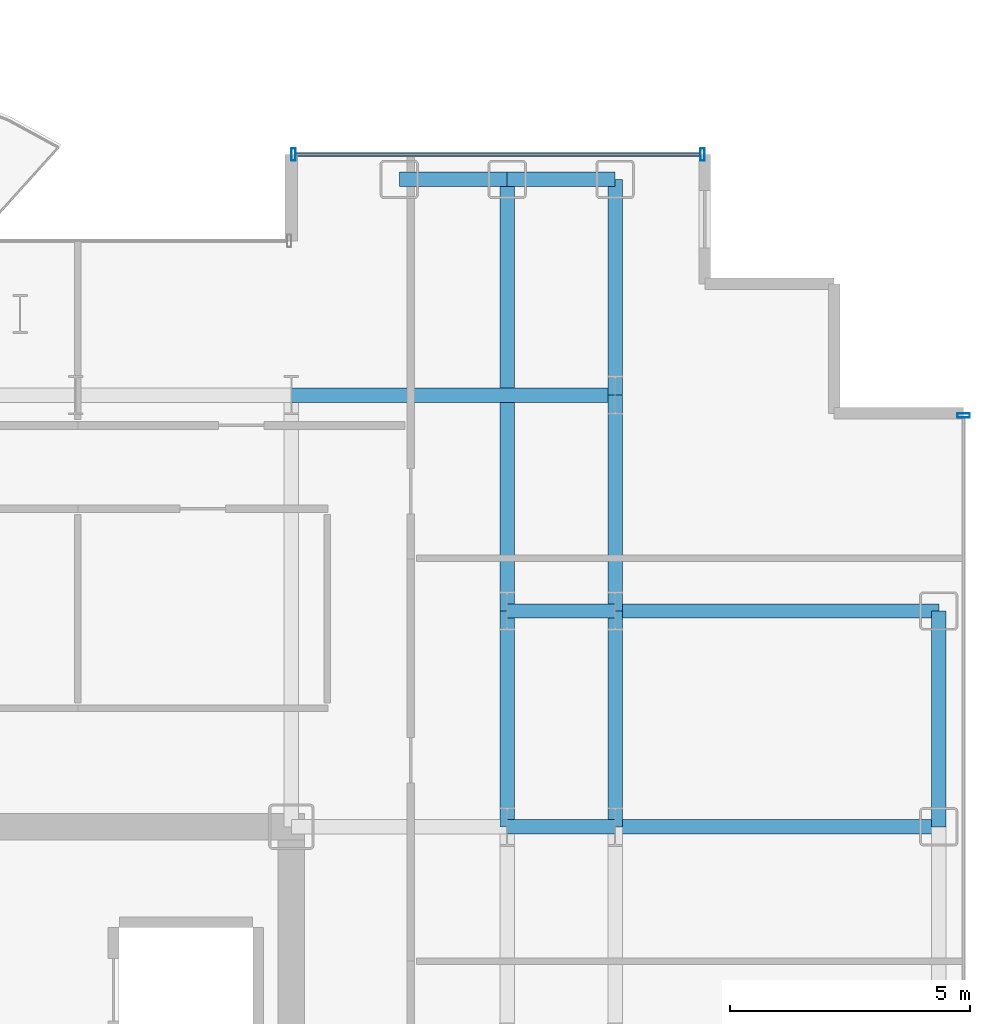
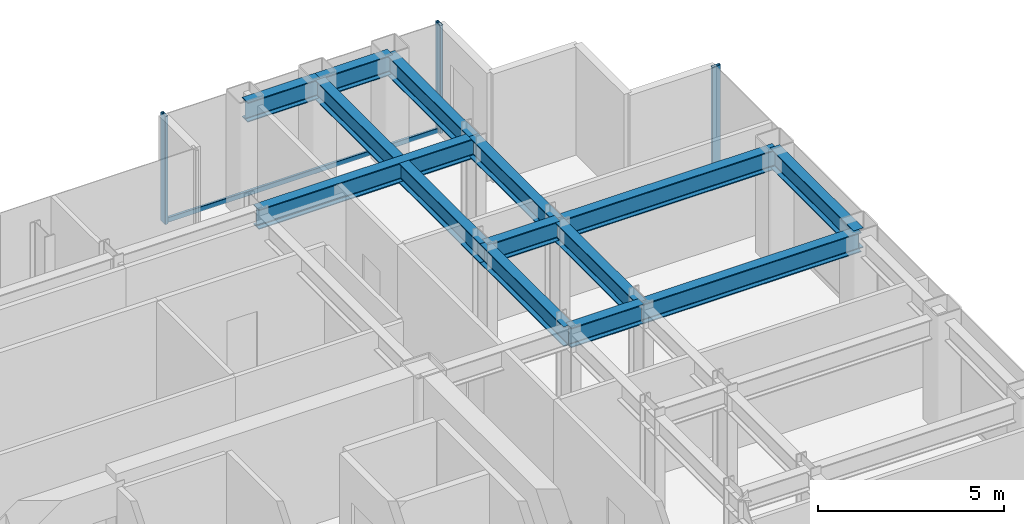
# One storey, part 13 of 23: 13 beams, 4 members, 2 elements without a shape of their own.
"""IFC4 building model written with IfcOpenShell, lengths in metres."""

from ifc_helpers import new_model, si_unit, direction, frame, origin, origin_2d, place, context, subcontext, project, spatial, hollow_rectangle, i_section, extrude, source, transform, mapped, material, layer, layer_set, material_profile, profile_set, type_object, element, aggregate, save


model = new_model("IFC4")

# Units and contexts
model_context = context("Model", 3, precision=1e-05, world=origin(), true_north=direction((0.0, 1.0)))
body_context = subcontext(model_context, "Body", "Model", "MODEL_VIEW")
ifc_project = project(units=[si_unit("LENGTHUNIT", "METRE"), si_unit("AREAUNIT", "SQUARE_METRE"), si_unit("VOLUMEUNIT", "CUBIC_METRE"), si_unit("PLANEANGLEUNIT", "RADIAN"), si_unit("MASSUNIT", "GRAM", prefix="KILO")], contexts=[model_context])

# Site, building, storey
site_placement = place(None, origin())
site = spatial("IfcSite", under=ifc_project, at=site_placement, CompositionType="ELEMENT")
building_placement = place(site_placement, origin())
building = spatial("IfcBuilding", under=site, at=building_placement, Name="Nefas-Gora Pilgrimage Tower", CompositionType="ELEMENT")
storey_placement = place(building_placement, frame((0.0, 0.0, 164.0)))
storey = spatial("IfcBuildingStorey", under=building, at=storey_placement, Name="L40", CompositionType="ELEMENT", Elevation=164.0)

# Beams
ifc_material_1 = material(Name="Steel S355", Category="steel")
ifc_material_profile_1 = material_profile(ifc_material_1, i_section(OverallWidth=0.300048828125, OverallDepth=0.64990234375, WebThickness=0.01611328125, FlangeThickness=0.031005859375, FilletRadius=0.027099609375, at=origin_2d()), Name="HEB 650")
ifc_profile_set_1 = profile_set([ifc_material_profile_1], Name="Steel S355")
beam_type_1 = type_object("IfcBeamType", Name="BM-SPN-HEB500", PredefinedType="SPANDREL", material=ifc_profile_set_1)
shared_shape_1 = source(origin(), body_context, "Body", "SweptSolid", [
    extrude(i_section(OverallWidth=0.300048828125, OverallDepth=0.64990234375, WebThickness=0.01611328125, FlangeThickness=0.031005859375, FilletRadius=0.027099609375, at=origin_2d()), origin(), (0.0, 0.0, 1.0), 4.5),
])
beam_1_placement = place(storey_placement, frame((24.75, 9.0, 3.22509765625), z_axis=(0.0, 1.0, 0.0), x_axis=(-1.0, 0.0, 0.0)))
element("IfcBeam", 1, at=beam_1_placement, inside=storey, type_object=beam_type_1, Name="L40 SP-02 beam", PredefinedType="SPANDREL", context=body_context, shape_type="MappedRepresentation", body=[
    mapped(shared_shape_1, transform((0.0, 0.0, 0.0), x_axis=(1.0, 0.0, 0.0), y_axis=(0.0, 1.0, 0.0), z_axis=(0.0, 0.0, 1.0), scale=1.0)),
])
ifc_material_profile_2 = material_profile(ifc_material_1, i_section(OverallWidth=0.300048828125, OverallDepth=0.64990234375, WebThickness=0.01611328125, FlangeThickness=0.031005859375, FilletRadius=0.027099609375, at=origin_2d()), Name="HEB 650")
ifc_profile_set_2 = profile_set([ifc_material_profile_2], Name="Steel S355")
beam_type_2 = type_object("IfcBeamType", Name="BM-GIR-HEB650", PredefinedType="BEAM", material=ifc_profile_set_2)
shared_shape_2 = source(origin(), body_context, "Body", "SweptSolid", [
    extrude(i_section(OverallWidth=0.300048828125, OverallDepth=0.64990234375, WebThickness=0.01611328125, FlangeThickness=0.031005859375, FilletRadius=0.027099609375, at=origin_2d()), origin(), (0.0, 0.0, 1.0), 9.0),
])
beam_2_placement = place(storey_placement, frame((15.75, 13.5, 3.22509765625), z_axis=(0.0, 1.0, 0.0), x_axis=(-1.0, 0.0, 0.0)))
element("IfcBeam", 2, at=beam_2_placement, inside=storey, type_object=beam_type_2, Name="L40 G-03 beam", PredefinedType="BEAM", context=body_context, shape_type="MappedRepresentation", body=[
    mapped(shared_shape_2, transform((0.0, 0.0, 0.0), x_axis=(1.0, 0.0, 0.0), y_axis=(0.0, 1.0, 0.0), z_axis=(0.0, 0.0, 1.0), scale=1.0)),
])
shared_shape_3 = source(origin(), body_context, "Body", "SweptSolid", [
    extrude(i_section(OverallWidth=0.300048828125, OverallDepth=0.64990234375, WebThickness=0.01611328125, FlangeThickness=0.031005859375, FilletRadius=0.027099609375, at=origin_2d()), origin(), (0.0, 0.0, 1.0), 4.5),
])
for number, where, z_axis, x_axis, name in (
    (3, (15.75, 9.0, 3.22509765625), (0.0, 1.0, 0.0), (-1.0, 0.0, 0.0), "L40 G-03 beam"),
    (4, (18.0, 9.0, 3.22509765625), (0.0, 1.0, 0.0), (-1.0, 0.0, 0.0), "L40 G-03 beam"),
    (5, (18.0, 13.5, 3.22509765625), (0.0, 1.0, 0.0), (-1.0, 0.0, 0.0), "L40 G-03 beam"),
    (6, (18.0, 18.0, 3.22509765625), (0.0, 1.0, 0.0), (-1.0, 0.0, 0.0), "L40 G-03 beam"),
):
    element("IfcBeam", number, at=place(storey_placement, frame(where, z_axis=z_axis, x_axis=x_axis)), inside=storey, type_object=beam_type_2, Name=name, PredefinedType="BEAM", context=body_context, shape_type="MappedRepresentation", body=[
        mapped(shared_shape_3, transform((0.0, 0.0, 0.0), x_axis=(1.0, 0.0, 0.0), y_axis=(0.0, 1.0, 0.0), z_axis=(0.0, 0.0, 1.0), scale=1.0)),
    ])
shared_shape_4 = source(origin(), body_context, "Body", "SweptSolid", [
    extrude(i_section(OverallWidth=0.300048828125, OverallDepth=0.64990234375, WebThickness=0.01611328125, FlangeThickness=0.031005859375, FilletRadius=0.027099609375, at=origin_2d()), origin(), (0.0, 0.0, 1.0), 6.75),
])
for number, where, z_axis, x_axis, name in (
    (7, (11.25, 18.0, 3.22509765625), (1.0, 0.0, 0.0), (0.0, 1.0, 0.0), "L40 G-03 beam"),
    (8, (18.0, 9.0, 3.22509765625), (1.0, 0.0, 0.0), (0.0, 1.0, 0.0), "L40 G-03 beam"),
    (9, (18.0, 13.5, 3.22509765625), (1.0, 0.0, 0.0), (0.0, 1.0, 0.0), "L40 G-03 beam"),
):
    element("IfcBeam", number, at=place(storey_placement, frame(where, z_axis=z_axis, x_axis=x_axis)), inside=storey, type_object=beam_type_2, Name=name, PredefinedType="BEAM", context=body_context, shape_type="MappedRepresentation", body=[
        mapped(shared_shape_4, transform((0.0, 0.0, 0.0), x_axis=(1.0, 0.0, 0.0), y_axis=(0.0, 1.0, 0.0), z_axis=(0.0, 0.0, 1.0), scale=1.0)),
    ])
shared_shape_5 = source(origin(), body_context, "Body", "SweptSolid", [
    extrude(i_section(OverallWidth=0.300048828125, OverallDepth=0.64990234375, WebThickness=0.01611328125, FlangeThickness=0.031005859375, FilletRadius=0.027099609375, at=origin_2d()), origin(), (0.0, 0.0, 1.0), 2.25),
])
for number, where, z_axis, x_axis, name in (
    (10, (13.5, 22.5, 3.22509765625), (1.0, 0.0, 0.0), (0.0, 1.0, 0.0), "L40 SP-02 beam"),
    (11, (15.75, 22.5, 3.22509765625), (1.0, 0.0, 0.0), (0.0, 1.0, 0.0), "L40 SP-02 beam"),
):
    element("IfcBeam", number, at=place(storey_placement, frame(where, z_axis=z_axis, x_axis=x_axis)), inside=storey, type_object=beam_type_1, Name=name, PredefinedType="SPANDREL", context=body_context, shape_type="MappedRepresentation", body=[
        mapped(shared_shape_5, transform((0.0, 0.0, 0.0), x_axis=(1.0, 0.0, 0.0), y_axis=(0.0, 1.0, 0.0), z_axis=(0.0, 0.0, 1.0), scale=1.0)),
    ])
shared_shape_6 = source(origin(), body_context, "Body", "SweptSolid", [
    extrude(i_section(OverallWidth=0.300048828125, OverallDepth=0.64990234375, WebThickness=0.01611328125, FlangeThickness=0.031005859375, FilletRadius=0.027099609375, at=origin_2d()), origin(), (0.0, 0.0, 1.0), 2.25),
])
for number, where, z_axis, x_axis, name in (
    (12, (15.75, 9.0, 3.22509765625), (1.0, 0.0, 0.0), (0.0, 1.0, 0.0), "L40 G-03 beam"),
    (13, (15.75, 13.5, 3.22509765625), (1.0, 0.0, 0.0), (0.0, 1.0, 0.0), "L40 G-03 beam"),
):
    element("IfcBeam", number, at=place(storey_placement, frame(where, z_axis=z_axis, x_axis=x_axis)), inside=storey, type_object=beam_type_2, Name=name, PredefinedType="BEAM", context=body_context, shape_type="MappedRepresentation", body=[
        mapped(shared_shape_6, transform((0.0, 0.0, 0.0), x_axis=(1.0, 0.0, 0.0), y_axis=(0.0, 1.0, 0.0), z_axis=(0.0, 0.0, 1.0), scale=1.0)),
    ])

# Curtain wall, member
ifc_material_2 = material(Name="Dark ceramic-fritted solar-control aluminium-glass curtain wall", Category="aluminium")
ifc_layer = layer(ifc_material_2, 0.219970703125)
ifc_layer_set = layer_set([ifc_layer], Name="Dark ceramic-fritted solar-control aluminium-glass curtain wall")
curtain_wall_type = type_object("IfcCurtainWallType", Name="CW-SYS-3", PredefinedType="NOTDEFINED", material=ifc_layer_set)
curtain_wall_1_placement = place(storey_placement, origin())
curtain_wall_1 = element("IfcCurtainWall", 14, at=curtain_wall_1_placement, inside=storey, type_object=curtain_wall_type, Name="L40 Unitised Curtain Wall CW3", PredefinedType="NOTDEFINED")
ifc_material_3 = material(Name="Anodised architectural aluminium", Category="aluminium")
ifc_material_profile_3 = material_profile(ifc_material_3, hollow_rectangle(XDim=0.090087890625, YDim=0.260009765625, WallThickness=0.006103515625, InnerFilletRadius=0.006103515625, OuterFilletRadius=0.011962890625, at=origin_2d()), Name="ALU MULLION 90x260")
ifc_profile_set_3 = profile_set([ifc_material_profile_3], Name="Anodised architectural aluminium")
member_type_1 = type_object("IfcMemberType", Name="CWM-MUL-3", PredefinedType="MULLION", material=ifc_profile_set_3)
shared_shape_7 = source(origin(), body_context, "Body", "SweptSolid", [
    extrude(hollow_rectangle(XDim=0.090087890625, YDim=0.260009765625, WallThickness=0.006103515625, InnerFilletRadius=0.006103515625, OuterFilletRadius=0.011962890625, at=origin_2d()), origin(), (0.0, 0.0, 1.0), 3.550048828125),
])
member_1_placement = place(storey_placement, frame((25.27001953125, 17.574951171875, 0.0), z_axis=(0.0, 0.0, 1.0), x_axis=(0.0, 1.0, 0.0)))
member_1 = element("IfcMember", 15, at=member_1_placement, type_object=member_type_1, Name="CW3 Mullion 2", PredefinedType="MULLION", context=body_context, shape_type="MappedRepresentation", body=[
    mapped(shared_shape_7, transform((0.0, 0.0, 0.0), x_axis=(1.0, 0.0, 0.0), y_axis=(0.0, 1.0, 0.0), z_axis=(0.0, 0.0, 1.0), scale=1.0)),
])
aggregate(curtain_wall_1, [member_1])

# Curtain wall, members
curtain_wall_2_placement = place(storey_placement, origin())
curtain_wall_2 = element("IfcCurtainWall", 16, at=curtain_wall_2_placement, inside=storey, type_object=curtain_wall_type, Name="L40 Unitised Curtain Wall CW3", PredefinedType="NOTDEFINED")
member_2_placement = place(storey_placement, frame((19.824951171875, 23.02001953125, 0.0), z_axis=(0.0, 0.0, 1.0), x_axis=(-1.0, 0.0, 0.0)))
member_2 = element("IfcMember", 17, at=member_2_placement, type_object=member_type_1, Name="CW3 Mullion 1", PredefinedType="MULLION", context=body_context, shape_type="MappedRepresentation", body=[
    mapped(shared_shape_7, transform((0.0, 0.0, 0.0), x_axis=(1.0, 0.0, 0.0), y_axis=(0.0, 1.0, 0.0), z_axis=(0.0, 0.0, 1.0), scale=1.0)),
])
member_3_placement = place(storey_placement, frame((11.294921875, 23.02001953125, 0.0), z_axis=(0.0, 0.0, 1.0), x_axis=(-1.0, 0.0, 0.0)))
member_3 = element("IfcMember", 18, at=member_3_placement, type_object=member_type_1, Name="CW3 Mullion 2", PredefinedType="MULLION", context=body_context, shape_type="MappedRepresentation", body=[
    mapped(shared_shape_7, transform((0.0, 0.0, 0.0), x_axis=(1.0, 0.0, 0.0), y_axis=(0.0, 1.0, 0.0), z_axis=(0.0, 0.0, 1.0), scale=1.0)),
])
ifc_material_profile_4 = material_profile(ifc_material_3, hollow_rectangle(XDim=0.080078125, YDim=0.159912109375, WallThickness=0.00439453125, InnerFilletRadius=0.00439453125, OuterFilletRadius=0.009033203125, at=origin_2d()), Name="ALU TRANSOM 80x160")
ifc_profile_set_4 = profile_set([ifc_material_profile_4], Name="Anodised architectural aluminium")
member_type_2 = type_object("IfcMemberType", Name="CWM-TRN-3", PredefinedType="USERDEFINED", material=ifc_profile_set_4)
shared_shape_8 = source(origin(), body_context, "Body", "SweptSolid", [
    extrude(hollow_rectangle(XDim=0.080078125, YDim=0.159912109375, WallThickness=0.00439453125, InnerFilletRadius=0.00439453125, OuterFilletRadius=0.009033203125, at=origin_2d()), origin(), (0.0, 0.0, 1.0), 8.43994140625),
])
member_4_placement = place(storey_placement, frame((19.780029296875, 23.02001953125, 0.050048828125), z_axis=(-1.0, 0.0, 0.0), x_axis=(0.0, -1.0, 0.0)))
member_4 = element("IfcMember", 19, at=member_4_placement, type_object=member_type_2, Name="CW3 Spandrel Transom", ObjectType="TRANSOM", PredefinedType="USERDEFINED", context=body_context, shape_type="MappedRepresentation", body=[
    mapped(shared_shape_8, transform((0.0, 0.0, 0.0), x_axis=(1.0, 0.0, 0.0), y_axis=(0.0, 1.0, 0.0), z_axis=(0.0, 0.0, 1.0), scale=1.0)),
])
aggregate(curtain_wall_2, [member_2, member_3, member_4])

save(model, "model.ifc")
